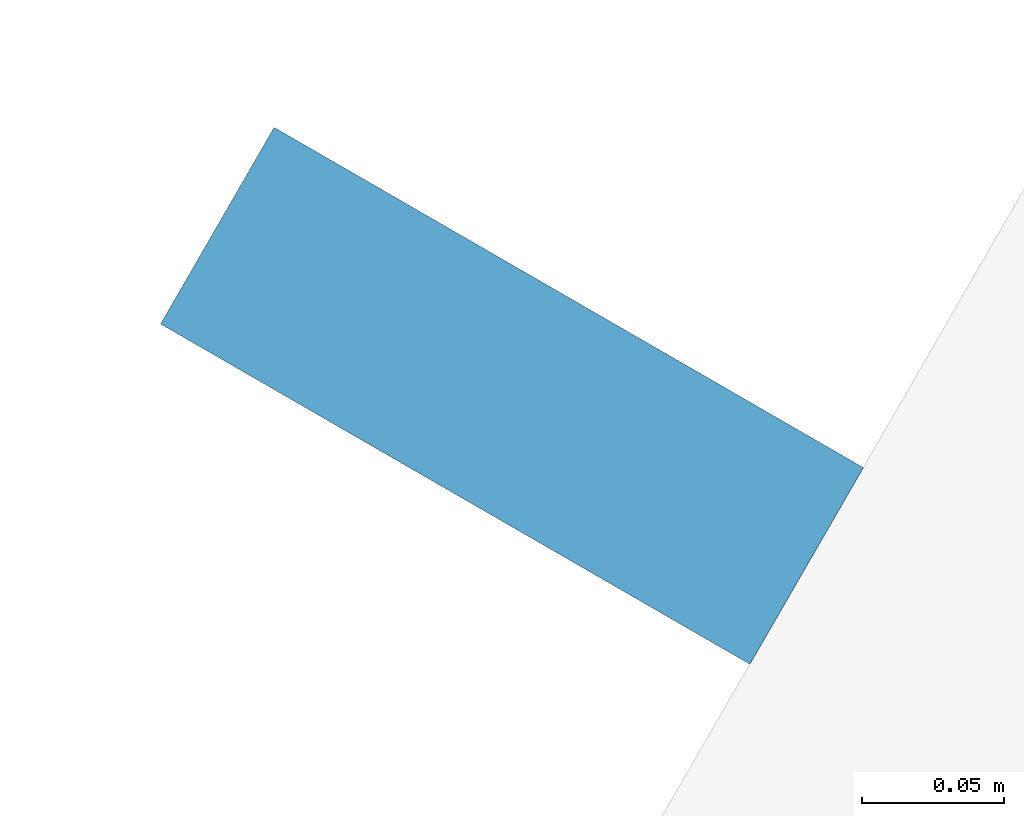
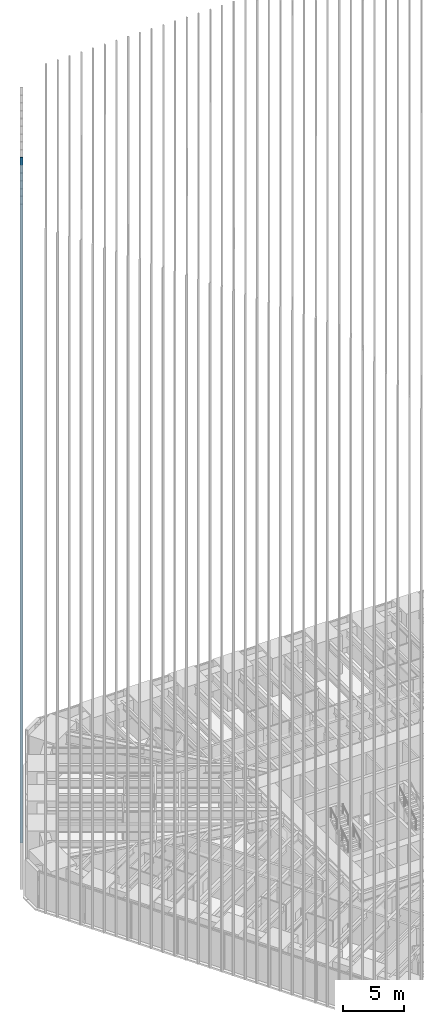
# One storey, part 145 of 256: 1 member, 1 element without a shape of its own.
"""IFC4 building model written with IfcOpenShell, lengths in metres."""

from ifc_helpers import new_model, si_unit, direction, frame, origin, origin_2d, place, context, subcontext, project, spatial, rectangle, extrude, material, material_profile, profile_set, type_object, element, aggregate, save


model = new_model("IFC4")

# Units and contexts
model_context = context("Model", 3, precision=1e-05, world=origin(), true_north=direction((0.0, 1.0)))
body_context = subcontext(model_context, "Body", "Model", "MODEL_VIEW")
ifc_project = project(units=[si_unit("LENGTHUNIT", "METRE"), si_unit("AREAUNIT", "SQUARE_METRE"), si_unit("VOLUMEUNIT", "CUBIC_METRE"), si_unit("PLANEANGLEUNIT", "RADIAN"), si_unit("MASSUNIT", "GRAM", prefix="KILO")], contexts=[model_context])

# Site, building, storey
site_placement = place(None, origin())
site = spatial("IfcSite", under=ifc_project, at=site_placement, CompositionType="ELEMENT")
building_placement = place(site_placement, origin())
building = spatial("IfcBuilding", under=site, at=building_placement, Name="Sandreach Pilgrim Tower", CompositionType="ELEMENT")
storey_placement = place(building_placement, frame((0.0, 0.0, 23.0)))
storey = spatial("IfcBuildingStorey", under=building, at=storey_placement, Name="L04", CompositionType="ELEMENT", Elevation=23.0)

# Curtain wall, member
ifc_material_1 = material(Name="Aluminium framed curtain wall", Category="aluminium")
curtain_wall_type = type_object("IfcCurtainWallType", Name="Hostel tower curtain wall", PredefinedType="NOTDEFINED", material=ifc_material_1)
curtain_wall_placement = place(storey_placement, origin())
curtain_wall = element("IfcCurtainWall", 1, at=curtain_wall_placement, inside=storey, type_object=curtain_wall_type, Name="CW-1 L04 NW", PredefinedType="NOTDEFINED")
ifc_material_2 = material(Name="Extruded terracotta on aluminium core", Category="masonry")
ifc_material_profile = material_profile(ifc_material_2, rectangle(XDim=0.080078125, YDim=0.239990234375, at=origin_2d()), Name="TBW 80X240")
ifc_profile_set = profile_set([ifc_material_profile], Name="Extruded terracotta on aluminium core")
member_type = type_object("IfcMemberType", Name="Terracotta baguette west", PredefinedType="USERDEFINED", material=ifc_profile_set)
member_placement = place(storey_placement, frame((-27.1845703125, 13.776611328125, 0.0), z_axis=(0.0, 0.0, 1.0), x_axis=(0.5, 0.866025403784, 0.0)))
member = element("IfcMember", 2, at=member_placement, type_object=member_type, Name="Baguette Z1 NW07", ObjectType="BAGUETTE", PredefinedType="USERDEFINED", context=body_context, shape_type="SweptSolid", body=[
    extrude(rectangle(XDim=0.080078125, YDim=0.239990234375, at=origin_2d()), origin(), (0.0, 0.0, 1.0), 68.239990234375),
])
aggregate(curtain_wall, [member])

save(model, "model.ifc")
